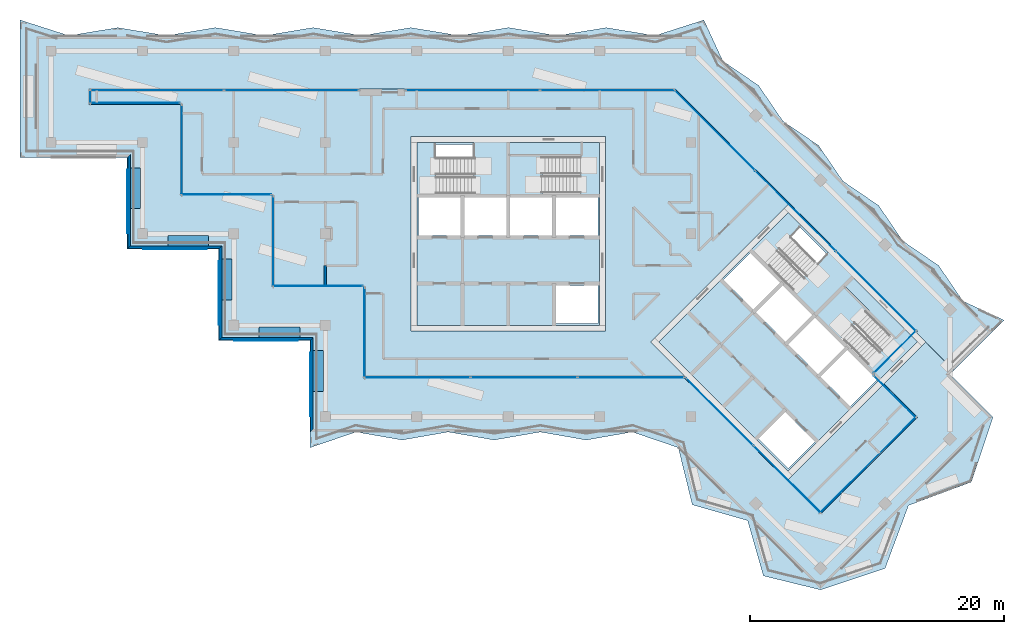
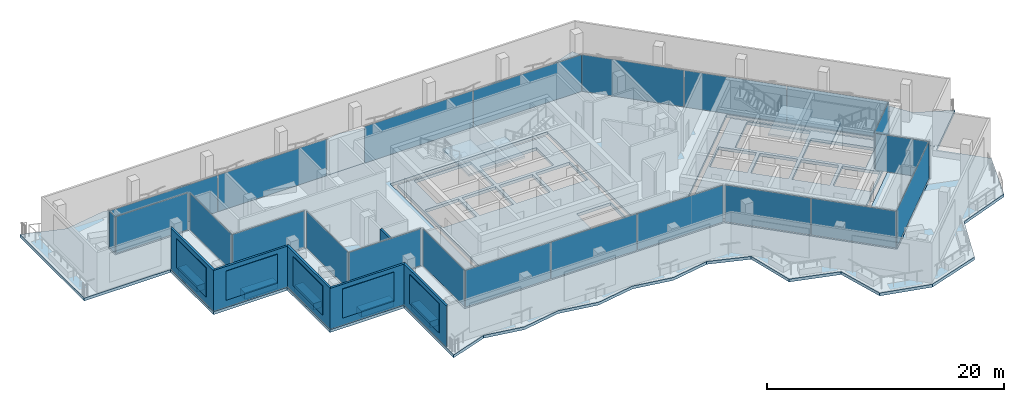
# One storey, part 8 of 19: 27 plates, 11 walls, 8 slabs, 15 openings, 19 elements without a shape of their own.
"""IFC4 building model written with IfcOpenShell, lengths in metres."""

from ifc_helpers import new_model, si_unit, direction, frame, frame_2d, origin, origin_2d, place, context, subcontext, project, spatial, polyline, rectangle, outline, extrude, material, layer, layer_set, type_object, element, aggregate, save


model = new_model("IFC4")

# Units and contexts
model_context = context("Model", 3, precision=1e-05, world=origin(), true_north=direction((0.0, 1.0)))
body_context = subcontext(model_context, "Body", "Model", "MODEL_VIEW")
ifc_project = project(units=[si_unit("LENGTHUNIT", "METRE"), si_unit("AREAUNIT", "SQUARE_METRE"), si_unit("VOLUMEUNIT", "CUBIC_METRE"), si_unit("PLANEANGLEUNIT", "RADIAN"), si_unit("MASSUNIT", "GRAM", prefix="KILO")], contexts=[model_context])

# Plate
ifc_material_1 = material(Name="Aluminium louvre", Category="aluminium")
ifc_layer_1 = layer(ifc_material_1, 0.05)
ifc_layer_set_1 = layer_set([ifc_layer_1], Name="Belt louvre panel 5000x3000")
plate_type_1 = type_object("IfcPlateType", Name="Belt louvre panel 5000x3000", PredefinedType="SHEET", material=ifc_layer_set_1)
site_placement = place(None, origin())
building_placement = place(site_placement, origin())
storey_placement = place(building_placement, frame((0.0, 0.0, 230.4)))
plate_1_placement = place(storey_placement, frame((34.8, 62.65, 0.75), z_axis=(-1.0, 0.0, 0.0), x_axis=(0.0, -1.0, 0.0)))
plate_1 = element("IfcPlate", 1, at=plate_1_placement, type_object=plate_type_1, Name="Belt louvre panel L63 39.1", PredefinedType="SHEET", context=body_context, shape_type="SweptSolid", body=[
    extrude(outline(polyline([(0.0, 0.0), (5.0, 0.0), (5.0, 3.0), (0.0, 3.0), (0.0, 0.0)])), origin(), (0.0, 0.0, -1.0), 0.05),
])

plate_2_placement = place(storey_placement, frame((36.05, 56.4, 0.75), z_axis=(0.0, -1.0, 0.0), x_axis=(1.0, 0.0, 0.0)))
plate_2 = element("IfcPlate", 2, at=plate_2_placement, type_object=plate_type_1, Name="Belt louvre panel L63 43.1", PredefinedType="SHEET", context=body_context, shape_type="SweptSolid", body=[
    extrude(outline(polyline([(0.0, 0.0), (5.0, 0.0), (5.0, 3.0), (0.0, 3.0), (0.0, 0.0)])), origin(), (0.0, 0.0, -1.0), 0.05),
])

plate_3_placement = place(storey_placement, frame((42.0, 55.45, 0.75), z_axis=(-1.0, 0.0, 0.0), x_axis=(0.0, -1.0, 0.0)))
plate_3 = element("IfcPlate", 3, at=plate_3_placement, type_object=plate_type_1, Name="Belt louvre panel L63 47.1", PredefinedType="SHEET", context=body_context, shape_type="SweptSolid", body=[
    extrude(outline(polyline([(0.0, 0.0), (5.0, 0.0), (5.0, 3.0), (0.0, 3.0), (0.0, 0.0)])), origin(), (0.0, 0.0, -1.0), 0.05),
])

plate_4_placement = place(storey_placement, frame((43.25, 49.2, 0.75), z_axis=(0.0, -1.0, 0.0), x_axis=(1.0, 0.0, 0.0)))
plate_4 = element("IfcPlate", 4, at=plate_4_placement, type_object=plate_type_1, Name="Belt louvre panel L63 51.1", PredefinedType="SHEET", context=body_context, shape_type="SweptSolid", body=[
    extrude(outline(polyline([(0.0, 0.0), (5.0, 0.0), (5.0, 3.0), (0.0, 3.0), (0.0, 0.0)])), origin(), (0.0, 0.0, -1.0), 0.05),
])

plate_5_placement = place(storey_placement, frame((49.2, 48.25, 0.75), z_axis=(-1.0, 0.0, 0.0), x_axis=(0.0, -1.0, 0.0)))
plate_5 = element("IfcPlate", 5, at=plate_5_placement, type_object=plate_type_1, Name="Belt louvre panel L63 55.1", PredefinedType="SHEET", context=body_context, shape_type="SweptSolid", body=[
    extrude(outline(polyline([(0.0, 0.0), (5.0, 0.0), (5.0, 3.0), (0.0, 3.0), (0.0, 0.0)])), origin(), (0.0, 0.0, -1.0), 0.05),
])

# Site, building, storey
site = spatial("IfcSite", under=ifc_project, at=site_placement, CompositionType="ELEMENT")
building = spatial("IfcBuilding", under=site, at=building_placement, Name="Windrow Commons", CompositionType="ELEMENT")
storey = spatial("IfcBuildingStorey", under=building, at=storey_placement, Name="L63", CompositionType="ELEMENT", Elevation=230.4)

# Slab, openings
ifc_material_2 = material(Name="Concrete C40/50", Category="concrete")
ifc_layer_2 = layer(ifc_material_2, 0.3)
ifc_layer_set_2 = layer_set([ifc_layer_2], Name="CORE FLOOR SLAB 300 C40/50")
slab_type_1 = type_object("IfcSlabType", Name="CORE FLOOR SLAB 300 C40/50", PredefinedType="FLOOR", material=ifc_layer_set_2)
placement_1 = place(storey_placement, frame((0.0, 0.0, -0.3)))
slab_1 = element("IfcSlab", 6, at=placement_1, inside=storey, type_object=slab_type_1, Name="S-L63-core-A", PredefinedType="FLOOR", context=body_context, shape_type="SweptSolid", body=[
    extrude(outline(polyline([(57.6, 50.4), (72.0, 50.4), (72.0, 64.8), (57.6, 64.8), (57.6, 50.4)]), holes=[polyline([(68.55, 50.55), (71.85, 50.55), (71.85, 53.55), (68.55, 53.55), (68.55, 50.55)]), polyline([(57.75, 57.45), (61.05, 57.45), (61.05, 60.45), (57.75, 60.45), (57.75, 57.45)]), polyline([(61.35, 57.45), (64.65, 57.45), (64.65, 60.45), (61.35, 60.45), (61.35, 57.45)]), polyline([(64.95, 57.45), (68.25, 57.45), (68.25, 60.45), (64.95, 60.45), (64.95, 57.45)]), polyline([(68.55, 57.45), (71.85, 57.45), (71.85, 60.45), (68.55, 60.45), (68.55, 57.45)]), polyline([(59.1, 60.75), (64.65, 60.75), (64.65, 64.65), (59.1, 64.65), (59.1, 60.75)]), polyline([(64.95, 60.75), (70.5, 60.75), (70.5, 63.705), (64.95, 63.705), (64.95, 60.75)])]), origin(), (0.0, 0.0, 1.0), 0.3),
])
opening_1_placement = place(placement_1, origin())
element("IfcOpeningElement", 7, at=opening_1_placement, cuts=slab_1, Name="Slab opening S-L63-core-A 1", PredefinedType="OPENING", context=body_context, shape_type="SweptSolid", body=[
    extrude(outline(polyline([(68.555, 50.555), (68.555, 53.545), (71.845, 53.545), (71.845, 50.555), (68.555, 50.555)])), origin(), (0.0, 0.0, 1.0), 0.3),
])
opening_2_placement = place(placement_1, origin())
element("IfcOpeningElement", 8, at=opening_2_placement, cuts=slab_1, Name="Slab opening S-L63-core-A 2", PredefinedType="OPENING", context=body_context, shape_type="SweptSolid", body=[
    extrude(outline(polyline([(57.755, 57.455), (57.755, 60.445), (61.045, 60.445), (61.045, 57.455), (57.755, 57.455)])), origin(), (0.0, 0.0, 1.0), 0.3),
])
opening_3_placement = place(placement_1, origin())
element("IfcOpeningElement", 9, at=opening_3_placement, cuts=slab_1, Name="Slab opening S-L63-core-A 3", PredefinedType="OPENING", context=body_context, shape_type="SweptSolid", body=[
    extrude(outline(polyline([(61.355, 57.455), (61.355, 60.445), (64.645, 60.445), (64.645, 57.455), (61.355, 57.455)])), origin(), (0.0, 0.0, 1.0), 0.3),
])
opening_4_placement = place(placement_1, origin())
element("IfcOpeningElement", 10, at=opening_4_placement, cuts=slab_1, Name="Slab opening S-L63-core-A 4", PredefinedType="OPENING", context=body_context, shape_type="SweptSolid", body=[
    extrude(outline(polyline([(64.955, 57.455), (64.955, 60.445), (68.245, 60.445), (68.245, 57.455), (64.955, 57.455)])), origin(), (0.0, 0.0, 1.0), 0.3),
])
opening_5_placement = place(placement_1, origin())
element("IfcOpeningElement", 11, at=opening_5_placement, cuts=slab_1, Name="Slab opening S-L63-core-A 5", PredefinedType="OPENING", context=body_context, shape_type="SweptSolid", body=[
    extrude(outline(polyline([(68.555, 57.455), (68.555, 60.445), (71.845, 60.445), (71.845, 57.455), (68.555, 57.455)])), origin(), (0.0, 0.0, 1.0), 0.3),
])
opening_6_placement = place(placement_1, origin())
element("IfcOpeningElement", 12, at=opening_6_placement, cuts=slab_1, Name="Slab opening S-L63-core-A 6", PredefinedType="OPENING", context=body_context, shape_type="SweptSolid", body=[
    extrude(outline(polyline([(59.105, 60.755), (59.105, 64.645), (64.645, 64.645), (64.645, 60.755), (59.105, 60.755)])), origin(), (0.0, 0.0, 1.0), 0.3),
])
opening_7_placement = place(placement_1, origin())
element("IfcOpeningElement", 13, at=opening_7_placement, cuts=slab_1, Name="Slab opening S-L63-core-A 7", PredefinedType="OPENING", context=body_context, shape_type="SweptSolid", body=[
    extrude(outline(polyline([(64.955, 60.755), (64.955, 63.7), (70.495, 63.7), (70.495, 60.755), (64.955, 60.755)])), origin(), (0.0, 0.0, 1.0), 0.3),
])

slab_2 = element("IfcSlab", 14, at=placement_1, inside=storey, type_object=slab_type_1, Name="S-L63-core-B", PredefinedType="FLOOR", context=body_context, shape_type="SweptSolid", body=[
    extrude(outline(polyline([(76.6544, 49.0897), (86.8368, 38.9074), (97.0191, 49.0897), (86.8368, 59.2721), (76.6544, 49.0897)]), holes=[polyline([(84.5033, 41.453), (86.8368, 39.1195), (88.9581, 41.2409), (86.6246, 43.5743), (84.5033, 41.453)]), polyline([(81.7456, 53.9688), (84.079, 51.6353), (86.2004, 53.7566), (83.8669, 56.0901), (81.7456, 53.9688)]), polyline([(84.2912, 51.4232), (86.6246, 49.0897), (88.7459, 51.2111), (86.4125, 53.5445), (84.2912, 51.4232)]), polyline([(86.8368, 48.8776), (89.1702, 46.5442), (91.2915, 48.6655), (88.9581, 50.9989), (86.8368, 48.8776)]), polyline([(89.3823, 46.332), (91.7158, 43.9986), (93.8371, 46.1199), (91.5037, 48.4533), (89.3823, 46.332)]), polyline([(85.0336, 55.3476), (88.9581, 51.4232), (91.7158, 54.1809), (87.7913, 58.1054), (85.0336, 55.3476)]), polyline([(89.1702, 51.2111), (93.0946, 47.2866), (95.1841, 49.3761), (91.2597, 53.3006), (89.1702, 51.2111)])]), origin(), (0.0, 0.0, 1.0), 0.3),
])
opening_8_placement = place(placement_1, origin())
element("IfcOpeningElement", 15, at=opening_8_placement, cuts=slab_2, Name="Slab opening S-L63-core-B 1", PredefinedType="OPENING", context=body_context, shape_type="SweptSolid", body=[
    extrude(outline(polyline([(84.5104, 41.453), (86.6246, 43.5672), (88.951, 41.2409), (86.8368, 39.1266), (84.5104, 41.453)])), origin(), (0.0, 0.0, 1.0), 0.3),
])
opening_9_placement = place(placement_1, origin())
element("IfcOpeningElement", 16, at=opening_9_placement, cuts=slab_2, Name="Slab opening S-L63-core-B 2", PredefinedType="OPENING", context=body_context, shape_type="SweptSolid", body=[
    extrude(outline(polyline([(81.7527, 53.9688), (83.8669, 56.083), (86.1933, 53.7566), (84.079, 51.6424), (81.7527, 53.9688)])), origin(), (0.0, 0.0, 1.0), 0.3),
])
opening_10_placement = place(placement_1, origin())
element("IfcOpeningElement", 17, at=opening_10_placement, cuts=slab_2, Name="Slab opening S-L63-core-B 3", PredefinedType="OPENING", context=body_context, shape_type="SweptSolid", body=[
    extrude(outline(polyline([(84.2983, 51.4232), (86.4125, 53.5374), (88.7388, 51.2111), (86.6246, 49.0968), (84.2983, 51.4232)])), origin(), (0.0, 0.0, 1.0), 0.3),
])
opening_11_placement = place(placement_1, origin())
element("IfcOpeningElement", 18, at=opening_11_placement, cuts=slab_2, Name="Slab opening S-L63-core-B 4", PredefinedType="OPENING", context=body_context, shape_type="SweptSolid", body=[
    extrude(outline(polyline([(86.8439, 48.8776), (88.9581, 50.9918), (91.2844, 48.6655), (89.1702, 46.5513), (86.8439, 48.8776)])), origin(), (0.0, 0.0, 1.0), 0.3),
])
opening_12_placement = place(placement_1, origin())
element("IfcOpeningElement", 19, at=opening_12_placement, cuts=slab_2, Name="Slab opening S-L63-core-B 5", PredefinedType="OPENING", context=body_context, shape_type="SweptSolid", body=[
    extrude(outline(polyline([(89.3894, 46.332), (91.5037, 48.4462), (93.83, 46.1199), (91.7158, 44.0057), (89.3894, 46.332)])), origin(), (0.0, 0.0, 1.0), 0.3),
])
opening_13_placement = place(placement_1, origin())
element("IfcOpeningElement", 20, at=opening_13_placement, cuts=slab_2, Name="Slab opening S-L63-core-B 6", PredefinedType="OPENING", context=body_context, shape_type="SweptSolid", body=[
    extrude(outline(polyline([(85.0407, 55.3476), (87.7913, 58.0983), (91.7087, 54.1809), (88.9581, 51.4303), (85.0407, 55.3476)])), origin(), (0.0, 0.0, 1.0), 0.3),
])
opening_14_placement = place(placement_1, origin())
element("IfcOpeningElement", 21, at=opening_14_placement, cuts=slab_2, Name="Slab opening S-L63-core-B 7", PredefinedType="OPENING", context=body_context, shape_type="SweptSolid", body=[
    extrude(outline(polyline([(89.1773, 51.2111), (91.2597, 53.2935), (95.177, 49.3761), (93.0946, 47.2937), (89.1773, 51.2111)])), origin(), (0.0, 0.0, 1.0), 0.3),
])

# Curtain wall, plate
ifc_material_3 = material(Name="Clear laminated glass in Aluminium 6063-T6 anodised frame", Category="aluminium")
curtain_wall_type = type_object("IfcCurtainWallType", Name="Curtain wall CW2H sky lounge upper", PredefinedType="USERDEFINED", material=ifc_material_3)
placement_2 = place(storey_placement, origin())
curtain_wall_1 = element("IfcCurtainWall", 22, at=placement_2, inside=storey, type_object=curtain_wall_type, Name="Curtain wall CW2H L63 1", ObjectType="UNITISED", PredefinedType="USERDEFINED")
ifc_material_4 = material(Name="Clear laminated glass", Category="glass")
ifc_layer_3 = layer(ifc_material_4, 0.032)
ifc_layer_set_3 = layer_set([ifc_layer_3], Name="CW2H panel glass 32")
plate_type_2 = type_object("IfcPlateType", Name="CW2H panel glass 32", PredefinedType="CURTAIN_PANEL", material=ifc_layer_set_3)
plate_6_placement = place(storey_placement, frame((95.2513, 44.7764, 0.06), z_axis=(0.0, 0.0, 1.0), x_axis=(-0.7070963646, 0.7071171977, 0.0)))
plate_6 = element("IfcPlate", 23, at=plate_6_placement, type_object=plate_type_2, Name="CW2H panel 1.1", PredefinedType="CURTAIN_PANEL", context=body_context, shape_type="SweptSolid", body=[
    extrude(rectangle(XDim=4.6801, YDim=0.032, at=origin_2d()), origin(), (0.0, 0.0, 1.0), 3.78),
])
aggregate(curtain_wall_1, [plate_6])

curtain_wall_2 = element("IfcCurtainWall", 24, at=placement_2, inside=storey, type_object=curtain_wall_type, Name="Curtain wall CW2H L63 2", ObjectType="UNITISED", PredefinedType="USERDEFINED")
plate_7_placement = place(storey_placement, frame((95.2513, 48.312, 0.06), z_axis=(0.0, 0.0, 1.0), x_axis=(0.7071067812, 0.7071067812, 0.0)))
plate_7 = element("IfcPlate", 25, at=plate_7_placement, type_object=plate_type_2, Name="CW2H panel 1.1", PredefinedType="CURTAIN_PANEL", context=body_context, shape_type="SweptSolid", body=[
    extrude(rectangle(XDim=4.68, YDim=0.032, at=origin_2d()), origin(), (0.0, 0.0, 1.0), 3.78),
])
aggregate(curtain_wall_2, [plate_7])

# Curtain wall, plates
curtain_wall_3 = element("IfcCurtainWall", 26, at=placement_2, inside=storey, type_object=curtain_wall_type, Name="Curtain wall CW2H L63 3", ObjectType="UNITISED", PredefinedType="USERDEFINED")
plate_8_placement = place(storey_placement, frame((93.7608, 53.0551, 0.06), z_axis=(0.0, 0.0, 1.0), x_axis=(-0.7071067812, 0.7071067812, 0.0)))
plate_8 = element("IfcPlate", 27, at=plate_8_placement, type_object=plate_type_2, Name="CW2H panel 1.1", PredefinedType="CURTAIN_PANEL", context=body_context, shape_type="SweptSolid", body=[
    extrude(rectangle(XDim=8.8958, YDim=0.032, at=origin_2d()), origin(), (0.0, 0.0, 1.0), 3.78),
])
plate_9_placement = place(storey_placement, frame((87.4175, 59.3984, 0.06), z_axis=(0.0, 0.0, 1.0), x_axis=(-0.7071067812, 0.7071067812, 0.0)))
plate_9 = element("IfcPlate", 28, at=plate_9_placement, type_object=plate_type_2, Name="CW2H panel 2.1", PredefinedType="CURTAIN_PANEL", context=body_context, shape_type="SweptSolid", body=[
    extrude(rectangle(XDim=8.9258, YDim=0.032, at=origin_2d()), origin(), (0.0, 0.0, 1.0), 3.78),
])
plate_10_placement = place(storey_placement, frame((81.0742, 65.7417, 0.06), z_axis=(0.0, 0.0, 1.0), x_axis=(-0.7071067812, 0.7071067812, 0.0)))
plate_10 = element("IfcPlate", 29, at=plate_10_placement, type_object=plate_type_2, Name="CW2H panel 3.1", PredefinedType="CURTAIN_PANEL", context=body_context, shape_type="SweptSolid", body=[
    extrude(rectangle(XDim=8.8958, YDim=0.032, at=origin_2d()), origin(), (0.0, 0.0, 1.0), 3.78),
])
aggregate(curtain_wall_3, [plate_8, plate_9, plate_10])

curtain_wall_4 = element("IfcCurtainWall", 30, at=placement_2, inside=storey, type_object=curtain_wall_type, Name="Curtain wall CW2H L63 4.1", ObjectType="UNITISED", PredefinedType="USERDEFINED")
plate_11_placement = place(storey_placement, frame((72.6226, 68.9, 0.06), z_axis=(0.0, 0.0, 1.0), x_axis=(-1.0, 0.0, 0.0)))
plate_11 = element("IfcPlate", 31, at=plate_11_placement, type_object=plate_type_2, Name="CW2H panel 1.1", PredefinedType="CURTAIN_PANEL", context=body_context, shape_type="SweptSolid", body=[
    extrude(rectangle(XDim=10.5495, YDim=0.032, at=origin_2d()), origin(), (0.0, 0.0, 1.0), 3.78),
])
plate_12_placement = place(storey_placement, frame((62.0132, 68.9, 0.06), z_axis=(0.0, 0.0, 1.0), x_axis=(-1.0, 0.0, 0.0)))
plate_12 = element("IfcPlate", 32, at=plate_12_placement, type_object=plate_type_2, Name="CW2H panel 2.1", PredefinedType="CURTAIN_PANEL", context=body_context, shape_type="SweptSolid", body=[
    extrude(rectangle(XDim=10.5495, YDim=0.032, at=origin_2d()), origin(), (0.0, 0.0, 1.0), 3.78),
])
aggregate(curtain_wall_4, [plate_11, plate_12])

curtain_wall_5 = element("IfcCurtainWall", 33, at=placement_2, inside=storey, type_object=curtain_wall_type, Name="Curtain wall CW2H L63 4.2", ObjectType="UNITISED", PredefinedType="USERDEFINED")
plate_13_placement = place(storey_placement, frame((47.7438, 68.9, 0.06), z_axis=(0.0, 0.0, 1.0), x_axis=(-1.0, 0.0, 0.0)))
plate_13 = element("IfcPlate", 34, at=plate_13_placement, type_object=plate_type_2, Name="CW2H panel 1.1", PredefinedType="CURTAIN_PANEL", context=body_context, shape_type="SweptSolid", body=[
    extrude(rectangle(XDim=10.5492, YDim=0.032, at=origin_2d()), origin(), (0.0, 0.0, 1.0), 3.78),
])
plate_14_placement = place(storey_placement, frame((37.1346, 68.9, 0.06), z_axis=(0.0, 0.0, 1.0), x_axis=(-1.0, 0.0, 0.0)))
plate_14 = element("IfcPlate", 35, at=plate_14_placement, type_object=plate_type_2, Name="CW2H panel 2.1", PredefinedType="CURTAIN_PANEL", context=body_context, shape_type="SweptSolid", body=[
    extrude(rectangle(XDim=10.5492, YDim=0.032, at=origin_2d()), origin(), (0.0, 0.0, 1.0), 3.78),
])
aggregate(curtain_wall_5, [plate_13, plate_14])

# Curtain wall, plate
curtain_wall_6 = element("IfcCurtainWall", 36, at=placement_2, inside=storey, type_object=curtain_wall_type, Name="Curtain wall CW2H L63 5", ObjectType="UNITISED", PredefinedType="USERDEFINED")
plate_15_placement = place(storey_placement, frame((31.9, 68.4, 0.06), z_axis=(0.0, 0.0, 1.0), x_axis=(0.0, -1.0, 0.0)))
plate_15 = element("IfcPlate", 37, at=plate_15_placement, type_object=plate_type_2, Name="CW2H panel 1.1", PredefinedType="CURTAIN_PANEL", context=body_context, shape_type="SweptSolid", body=[
    extrude(rectangle(XDim=1.08, YDim=0.032, at=origin_2d()), origin(), (0.0, 0.0, 1.0), 3.78),
])
aggregate(curtain_wall_6, [plate_15])

curtain_wall_7 = element("IfcCurtainWall", 38, at=placement_2, inside=storey, type_object=curtain_wall_type, Name="Curtain wall CW2H L63 6", ObjectType="UNITISED", PredefinedType="USERDEFINED")
plate_16_placement = place(storey_placement, frame((35.4, 67.9, 0.06), z_axis=(0.0, 0.0, 1.0), x_axis=(1.0, 0.0, 0.0)))
plate_16 = element("IfcPlate", 39, at=plate_16_placement, type_object=plate_type_2, Name="CW2H panel 1.1", PredefinedType="CURTAIN_PANEL", context=body_context, shape_type="SweptSolid", body=[
    extrude(rectangle(XDim=7.08, YDim=0.032, at=origin_2d()), origin(), (0.0, 0.0, 1.0), 3.78),
])
aggregate(curtain_wall_7, [plate_16])

curtain_wall_8 = element("IfcCurtainWall", 40, at=placement_2, inside=storey, type_object=curtain_wall_type, Name="Curtain wall CW2H L63 7", ObjectType="UNITISED", PredefinedType="USERDEFINED")
plate_17_placement = place(storey_placement, frame((39.1, 64.2, 0.06), z_axis=(0.0, 0.0, 1.0), x_axis=(0.0, -1.0, 0.0)))
plate_17 = element("IfcPlate", 41, at=plate_17_placement, type_object=plate_type_2, Name="CW2H panel 1.1", PredefinedType="CURTAIN_PANEL", context=body_context, shape_type="SweptSolid", body=[
    extrude(rectangle(XDim=7.08, YDim=0.032, at=origin_2d()), origin(), (0.0, 0.0, 1.0), 3.78),
])
aggregate(curtain_wall_8, [plate_17])

curtain_wall_9 = element("IfcCurtainWall", 42, at=placement_2, inside=storey, type_object=curtain_wall_type, Name="Curtain wall CW2H L63 8", ObjectType="UNITISED", PredefinedType="USERDEFINED")
plate_18_placement = place(storey_placement, frame((42.6, 60.7, 0.06), z_axis=(0.0, 0.0, 1.0), x_axis=(1.0, 0.0, 0.0)))
plate_18 = element("IfcPlate", 43, at=plate_18_placement, type_object=plate_type_2, Name="CW2H panel 1.1", PredefinedType="CURTAIN_PANEL", context=body_context, shape_type="SweptSolid", body=[
    extrude(rectangle(XDim=7.08, YDim=0.032, at=origin_2d()), origin(), (0.0, 0.0, 1.0), 3.78),
])
aggregate(curtain_wall_9, [plate_18])

curtain_wall_10 = element("IfcCurtainWall", 44, at=placement_2, inside=storey, type_object=curtain_wall_type, Name="Curtain wall CW2H L63 9", ObjectType="UNITISED", PredefinedType="USERDEFINED")
plate_19_placement = place(storey_placement, frame((46.3, 57.0, 0.06), z_axis=(0.0, 0.0, 1.0), x_axis=(0.0, -1.0, 0.0)))
plate_19 = element("IfcPlate", 45, at=plate_19_placement, type_object=plate_type_2, Name="CW2H panel 1.1", PredefinedType="CURTAIN_PANEL", context=body_context, shape_type="SweptSolid", body=[
    extrude(rectangle(XDim=7.08, YDim=0.032, at=origin_2d()), origin(), (0.0, 0.0, 1.0), 3.78),
])
aggregate(curtain_wall_10, [plate_19])

curtain_wall_11 = element("IfcCurtainWall", 46, at=placement_2, inside=storey, type_object=curtain_wall_type, Name="Curtain wall CW2H L63 10", ObjectType="UNITISED", PredefinedType="USERDEFINED")
plate_20_placement = place(storey_placement, frame((49.8, 53.5, 0.06), z_axis=(0.0, 0.0, 1.0), x_axis=(1.0, 0.0, 0.0)))
plate_20 = element("IfcPlate", 47, at=plate_20_placement, type_object=plate_type_2, Name="CW2H panel 1.1", PredefinedType="CURTAIN_PANEL", context=body_context, shape_type="SweptSolid", body=[
    extrude(rectangle(XDim=7.08, YDim=0.032, at=origin_2d()), origin(), (0.0, 0.0, 1.0), 3.78),
])
aggregate(curtain_wall_11, [plate_20])

curtain_wall_12 = element("IfcCurtainWall", 48, at=placement_2, inside=storey, type_object=curtain_wall_type, Name="Curtain wall CW2H L63 11", ObjectType="UNITISED", PredefinedType="USERDEFINED")
plate_21_placement = place(storey_placement, frame((53.5, 49.8, 0.06), z_axis=(0.0, 0.0, 1.0), x_axis=(0.0, -1.0, 0.0)))
plate_21 = element("IfcPlate", 49, at=plate_21_placement, type_object=plate_type_2, Name="CW2H panel 1.1", PredefinedType="CURTAIN_PANEL", context=body_context, shape_type="SweptSolid", body=[
    extrude(rectangle(XDim=7.08, YDim=0.032, at=origin_2d()), origin(), (0.0, 0.0, 1.0), 3.78),
])
aggregate(curtain_wall_12, [plate_21])

# Curtain wall, plates
curtain_wall_13 = element("IfcCurtainWall", 50, at=placement_2, inside=storey, type_object=curtain_wall_type, Name="Curtain wall CW2H L63 12", ObjectType="UNITISED", PredefinedType="USERDEFINED")
plate_22_placement = place(storey_placement, frame((57.6309, 46.3, 0.06), z_axis=(0.0, 0.0, 1.0), x_axis=(1.0, 0.0, 0.0)))
plate_22 = element("IfcPlate", 51, at=plate_22_placement, type_object=plate_type_2, Name="CW2H panel 1.1", PredefinedType="CURTAIN_PANEL", context=body_context, shape_type="SweptSolid", body=[
    extrude(rectangle(XDim=8.3419, YDim=0.032, at=origin_2d()), origin(), (0.0, 0.0, 1.0), 3.78),
])
plate_23_placement = place(storey_placement, frame((66.0478, 46.3, 0.06), z_axis=(0.0, 0.0, 1.0), x_axis=(1.0, 0.0, 0.0)))
plate_23 = element("IfcPlate", 52, at=plate_23_placement, type_object=plate_type_2, Name="CW2H panel 2.1", PredefinedType="CURTAIN_PANEL", context=body_context, shape_type="SweptSolid", body=[
    extrude(rectangle(XDim=8.3719, YDim=0.032, at=origin_2d()), origin(), (0.0, 0.0, 1.0), 3.78),
])
plate_24_placement = place(storey_placement, frame((74.4647, 46.3, 0.06), z_axis=(0.0, 0.0, 1.0), x_axis=(1.0, 0.0, 0.0)))
plate_24 = element("IfcPlate", 53, at=plate_24_placement, type_object=plate_type_2, Name="CW2H panel 3.1", PredefinedType="CURTAIN_PANEL", context=body_context, shape_type="SweptSolid", body=[
    extrude(rectangle(XDim=8.3419, YDim=0.032, at=origin_2d()), origin(), (0.0, 0.0, 1.0), 3.78),
])
aggregate(curtain_wall_13, [plate_22, plate_23, plate_24])

curtain_wall_14 = element("IfcCurtainWall", 54, at=placement_2, inside=storey, type_object=curtain_wall_type, Name="Curtain wall CW2H L63 13", ObjectType="UNITISED", PredefinedType="USERDEFINED")
plate_25_placement = place(storey_placement, frame((81.4486, 43.5884, 0.06), z_axis=(0.0, 0.0, 1.0), x_axis=(0.7071067812, -0.7071067812, 0.0)))
plate_25 = element("IfcPlate", 55, at=plate_25_placement, type_object=plate_type_2, Name="CW2H panel 1.1", PredefinedType="CURTAIN_PANEL", context=body_context, shape_type="SweptSolid", body=[
    extrude(rectangle(XDim=7.4666, YDim=0.032, at=origin_2d()), origin(), (0.0, 0.0, 1.0), 3.78),
])
plate_26_placement = place(storey_placement, frame((86.7707, 38.2663, 0.06), z_axis=(0.0, 0.0, 1.0), x_axis=(0.7071067812, -0.7071067812, 0.0)))
plate_26 = element("IfcPlate", 56, at=plate_26_placement, type_object=plate_type_2, Name="CW2H panel 2.1", PredefinedType="CURTAIN_PANEL", context=body_context, shape_type="SweptSolid", body=[
    extrude(rectangle(XDim=7.4666, YDim=0.032, at=origin_2d()), origin(), (0.0, 0.0, 1.0), 3.78),
])
aggregate(curtain_wall_14, [plate_25, plate_26])

# Curtain wall, plate
curtain_wall_15 = element("IfcCurtainWall", 57, at=placement_2, inside=storey, type_object=curtain_wall_type, Name="Curtain wall CW2H L63 14", ObjectType="UNITISED", PredefinedType="USERDEFINED")
plate_27_placement = place(storey_placement, frame((93.13, 39.4024, 0.06), z_axis=(0.0, 0.0, 1.0), x_axis=(0.7071114108, 0.7071021515, 0.0)))
plate_27 = element("IfcPlate", 58, at=plate_27_placement, type_object=plate_type_2, Name="CW2H panel 1.1", PredefinedType="CURTAIN_PANEL", context=body_context, shape_type="SweptSolid", body=[
    extrude(rectangle(XDim=10.68, YDim=0.032, at=origin_2d()), origin(), (0.0, 0.0, 1.0), 3.78),
])
aggregate(curtain_wall_15, [plate_27])

# Stair, slab
ifc_material_5 = material(Name="Concrete C40/50", Category="concrete")
stair_type = type_object("IfcStairType", Name="Core stair", PredefinedType="HALF_TURN_STAIR", material=ifc_material_5)
stair_1 = element("IfcStair", 59, at=placement_2, inside=storey, type_object=stair_type, Name="L63 Exit stair A1 core A", PredefinedType="HALF_TURN_STAIR")
ifc_material_6 = material(Name="Concrete C40/50", Category="concrete")
ifc_layer_4 = layer(ifc_material_6, 0.2)
ifc_layer_set_4 = layer_set([ifc_layer_4], Name="Core stair landing")
slab_type_2 = type_object("IfcSlabType", Name="Core stair landing", PredefinedType="LANDING", material=ifc_layer_set_4)
placement_3 = place(storey_placement, frame((0.0, 0.0, 1.9)))
slab_3 = element("IfcSlab", 60, at=placement_3, type_object=slab_type_2, Name="ST-A1 landing 1", PredefinedType="LANDING", context=body_context, shape_type="SweptSolid", body=[
    extrude(outline(polyline([(62.06, 60.5), (64.8, 60.5), (64.8, 64.9), (62.06, 64.9), (62.06, 60.5)])), origin(), (0.0, 0.0, 1.0), 0.2),
])
aggregate(stair_1, [slab_3])

stair_2 = element("IfcStair", 61, at=placement_2, inside=storey, type_object=stair_type, Name="L63 Exit stair A2 core A", PredefinedType="HALF_TURN_STAIR")
slab_4 = element("IfcSlab", 62, at=placement_3, type_object=slab_type_2, Name="ST-A2 landing 1", PredefinedType="LANDING", context=body_context, shape_type="SweptSolid", body=[
    extrude(outline(polyline([(64.8, 60.5), (67.54, 60.5), (67.54, 63.855), (64.8, 63.855), (64.8, 60.5)])), origin(), (0.0, 0.0, 1.0), 0.2),
])
aggregate(stair_2, [slab_4])

stair_3 = element("IfcStair", 63, at=placement_2, inside=storey, type_object=stair_type, Name="L63 Exit stair B1 core B", PredefinedType="HALF_TURN_STAIR")
slab_5 = element("IfcSlab", 64, at=placement_3, type_object=slab_type_2, Name="ST-B1 landing 1", PredefinedType="LANDING", context=body_context, shape_type="SweptSolid", body=[
    extrude(outline(polyline([(86.9499, 53.0778), (88.8874, 51.1403), (91.9986, 54.2516), (90.0612, 56.1891), (86.9499, 53.0778)])), origin(), (0.0, 0.0, 1.0), 0.2),
])
aggregate(stair_3, [slab_5])

stair_4 = element("IfcStair", 65, at=placement_2, inside=storey, type_object=stair_type, Name="L63 Exit stair B2 core B", PredefinedType="HALF_TURN_STAIR")
slab_6 = element("IfcSlab", 66, at=placement_3, type_object=slab_type_2, Name="ST-B2 landing 1", PredefinedType="LANDING", context=body_context, shape_type="SweptSolid", body=[
    extrude(outline(polyline([(88.8874, 51.1403), (90.8248, 49.2029), (93.1971, 51.5752), (91.2597, 53.5127), (88.8874, 51.1403)])), origin(), (0.0, 0.0, 1.0), 0.2),
])
aggregate(stair_4, [slab_6])

# Slab, opening
ifc_material_7 = material(Name="Concrete C40/50", Category="concrete")
ifc_layer_5 = layer(ifc_material_7, 0.3)
ifc_layer_set_5 = layer_set([ifc_layer_5], Name="FLOOR SLAB 300 C40/50")
slab_type_3 = type_object("IfcSlabType", Name="FLOOR SLAB 300 C40/50", PredefinedType="FLOOR", material=ifc_layer_set_5)
slab_7 = element("IfcSlab", 67, at=placement_1, inside=storey, type_object=slab_type_3, Name="S-L63-floor", PredefinedType="FLOOR", context=body_context, shape_type="SweptSolid", body=[
    extrude(outline(polyline([(97.0191, 43.15), (94.3674, 45.8017), (86.8368, 38.271), (76.018, 49.0897), (86.8368, 59.9085), (96.913, 49.8322), (97.0191, 49.9383), (77.9574, 69.0), (31.8, 69.0), (31.8, 67.8), (39.0, 67.8), (39.0, 60.6), (46.2, 60.6), (46.2, 53.4), (53.4, 53.4), (53.4, 46.2), (78.6956, 46.2), (89.3823, 35.5133), (97.0191, 43.15)]), holes=[polyline([(57.15, 49.95), (57.15, 65.25), (72.45, 65.25), (72.45, 49.95), (57.15, 49.95)])]), origin(), (0.0, 0.0, 1.0), 0.3),
])
opening_15_placement = place(placement_1, origin())
element("IfcOpeningElement", 68, at=opening_15_placement, cuts=slab_7, Name="Slab opening S-L63-floor 1", PredefinedType="OPENING", context=body_context, shape_type="SweptSolid", body=[
    extrude(outline(polyline([(57.155, 49.955), (57.155, 65.245), (72.445, 65.245), (72.445, 49.955), (57.155, 49.955)])), origin(), (0.0, 0.0, 1.0), 0.3),
])

# Slab
ifc_material_8 = material(Name="Concrete C40/50", Category="concrete")
ifc_layer_6 = layer(ifc_material_8, 0.3)
ifc_layer_set_6 = layer_set([ifc_layer_6], Name="TERRACE SLAB 300 C40/50")
slab_type_4 = type_object("IfcSlabType", Name="TERRACE SLAB 300 C40/50", PredefinedType="FLOOR", material=ifc_layer_set_6)
element("IfcSlab", 69, at=placement_1, inside=storey, type_object=slab_type_4, Name="Terrace slab TR-L63-1", PredefinedType="FLOOR", context=body_context, shape_type="SweptSolid", body=[
    extrude(outline(polyline([(63.6944, 41.367), (67.3181, 42.0), (70.9417, 41.367), (74.5653, 42.0), (78.1889, 40.767), (79.2902, 36.2716), (83.6442, 35.0289), (84.8869, 30.6749), (89.3823, 29.5736), (94.4735, 31.2706), (96.312, 36.2204), (101.2617, 38.0588), (102.1103, 40.6044), (102.9588, 43.15), (99.5647, 46.5442), (99.8758, 46.8553), (97.6484, 49.0827), (94.3675, 45.8017), (97.0191, 43.15), (89.3823, 35.5133), (78.6956, 46.2), (53.4, 46.2), (53.4, 53.4), (46.2, 53.4), (46.2, 60.6), (39.0, 60.6), (39.0, 67.8), (31.8, 67.8), (31.8, 69.0), (77.9574, 69.0), (97.0191, 49.9383), (96.913, 49.8322), (97.6201, 49.1251), (97.6272, 49.1322), (99.8899, 46.8694), (103.8285, 50.808), (100.5963, 52.3008), (98.6793, 55.1088), (95.8713, 57.0258), (93.9543, 59.8338), (91.1463, 61.7508), (89.2293, 64.5588), (86.4213, 66.4758), (84.5043, 69.2837), (81.6963, 71.2008), (80.2036, 74.433), (76.3581, 73.2), (72.5126, 73.833), (68.6672, 73.2), (64.8217, 73.833), (60.9762, 73.2), (57.1308, 73.833), (53.2853, 73.2), (49.4398, 73.833), (45.5944, 73.2), (41.7489, 73.833), (37.9034, 73.2), (34.0579, 73.833), (30.2125, 73.2), (26.367, 74.433), (26.367, 63.6), (34.8, 63.6), (34.8, 56.4), (42.0, 56.4), (42.0, 49.2), (49.2, 49.2), (49.2, 40.767), (52.8236, 42.0), (56.4472, 41.367), (60.0708, 42.0), (63.6944, 41.367)])), origin(), (0.0, 0.0, 1.0), 0.3),
])

# Wall
ifc_material_9 = material(Name="Concrete C40/50 precast screen panel", Category="concrete")
ifc_layer_7 = layer(ifc_material_9, 0.2)
ifc_layer_set_7 = layer_set([ifc_layer_7], Name="Belt screen wall 200")
wall_type_1 = type_object("IfcWallType", Name="Belt screen wall 200", PredefinedType="SOLIDWALL", material=ifc_layer_set_7)
wall_1_placement = place(storey_placement, frame((34.95, 63.75, 0.0), z_axis=(0.0, 0.0, 1.0), x_axis=(0.0, -1.0, 0.0)))
wall_1 = element("IfcWall", 70, at=wall_1_placement, inside=storey, type_object=wall_type_1, Name="Belt screen wall L63 39", PredefinedType="SOLIDWALL", context=body_context, shape_type="SweptSolid", body=[
    extrude(outline(polyline([(0.1, -0.1), (7.3, -0.1), (7.1, 0.1), (-0.1, 0.1), (0.1, -0.1)])), origin(), (0.0, 0.0, 1.0), 4.2),
])

aggregate(wall_1, [plate_1])

wall_2_placement = place(storey_placement, frame((34.95, 56.55, 0.0), z_axis=(0.0, 0.0, 1.0), x_axis=(1.0, 0.0, 0.0)))
wall_2 = element("IfcWall", 71, at=wall_2_placement, inside=storey, type_object=wall_type_1, Name="Belt screen wall L63 43", PredefinedType="SOLIDWALL", context=body_context, shape_type="SweptSolid", body=[
    extrude(outline(polyline([(-0.1, -0.1), (7.1, -0.1), (7.3, 0.1), (0.1, 0.1), (-0.1, -0.1)])), origin(), (0.0, 0.0, 1.0), 4.2),
])

aggregate(wall_2, [plate_2])

wall_3_placement = place(storey_placement, frame((42.15, 56.55, 0.0), z_axis=(0.0, 0.0, 1.0), x_axis=(0.0, -1.0, 0.0)))
wall_3 = element("IfcWall", 72, at=wall_3_placement, inside=storey, type_object=wall_type_1, Name="Belt screen wall L63 47", PredefinedType="SOLIDWALL", context=body_context, shape_type="SweptSolid", body=[
    extrude(outline(polyline([(0.1, -0.1), (7.3, -0.1), (7.1, 0.1), (-0.1, 0.1), (0.1, -0.1)])), origin(), (0.0, 0.0, 1.0), 4.2),
])

aggregate(wall_3, [plate_3])

wall_4_placement = place(storey_placement, frame((42.15, 49.35, 0.0), z_axis=(0.0, 0.0, 1.0), x_axis=(1.0, 0.0, 0.0)))
wall_4 = element("IfcWall", 73, at=wall_4_placement, inside=storey, type_object=wall_type_1, Name="Belt screen wall L63 51", PredefinedType="SOLIDWALL", context=body_context, shape_type="SweptSolid", body=[
    extrude(outline(polyline([(-0.1, -0.1), (7.1, -0.1), (7.3, 0.1), (0.1, 0.1), (-0.1, -0.1)])), origin(), (0.0, 0.0, 1.0), 4.2),
])

aggregate(wall_4, [plate_4])

wall_5_placement = place(storey_placement, frame((49.35, 49.35, 0.0), z_axis=(0.0, 0.0, 1.0), x_axis=(0.0, -1.0, 0.0)))
wall_5 = element("IfcWall", 74, at=wall_5_placement, inside=storey, type_object=wall_type_1, Name="Belt screen wall L63 55", PredefinedType="SOLIDWALL", context=body_context, shape_type="SweptSolid", body=[
    extrude(outline(polyline([(0.1, -0.1), (7.3, -0.1), (7.1, 0.1), (-0.1, 0.1), (0.1, -0.1)])), origin(), (0.0, 0.0, 1.0), 4.2),
])

aggregate(wall_5, [plate_5])

# Walls
ifc_material_10 = material(Name="Blockwork partition", Category="masonry")
ifc_layer_8 = layer(ifc_material_10, 0.2)
ifc_layer_set_8 = layer_set([ifc_layer_8], Name="IW-CORRIDOR-200")
wall_type_2 = type_object("IfcWallType", Name="IW-CORRIDOR-200", PredefinedType="PARTITIONING", material=ifc_layer_set_8)
wall_6_placement = place(storey_placement, frame((50.4, 53.53, 0.0), z_axis=(0.0, 0.0, 1.0), x_axis=(0.0, 1.0, 0.0)))
element("IfcWall", 75, at=wall_6_placement, inside=storey, type_object=wall_type_2, Name="W-L63-W036", PredefinedType="PARTITIONING", context=body_context, shape_type="SweptSolid", body=[
    extrude(rectangle(XDim=1.57, YDim=0.2, at=frame_2d((0.785, 0.0))), origin(), (0.0, 0.0, 1.0), 3.9),
])
ifc_material_11 = material(Name="Concrete C30/37 planter wall", Category="concrete")
ifc_layer_9 = layer(ifc_material_11, 0.8)
ifc_layer_set_9 = layer_set([ifc_layer_9], Name="Planter 800x600")
wall_type_3 = type_object("IfcWallType", Name="Planter 800x600", PredefinedType="SOLIDWALL", material=ifc_layer_set_9)
for number, where, z_axis, x_axis, name in (
    (76, (35.45, 62.8, 0.0), (0.0, 0.0, 1.0), (0.0, -1.0, 0.0), "PLANTER TR-L63-1.35"),
    (77, (38.0, 57.05, 0.0), (0.0, 0.0, 1.0), (1.0, 0.0, 0.0), "PLANTER TR-L63-1.36"),
    (78, (42.65, 55.6, 0.0), (0.0, 0.0, 1.0), (0.0, -1.0, 0.0), "PLANTER TR-L63-1.37"),
    (79, (45.2, 49.85, 0.0), (0.0, 0.0, 1.0), (1.0, 0.0, 0.0), "PLANTER TR-L63-1.38"),
    (80, (49.85, 48.4, 0.0), (0.0, 0.0, 1.0), (0.0, -1.0, 0.0), "PLANTER TR-L63-1.39"),
):
    element("IfcWall", number, at=place(storey_placement, frame(where, z_axis=z_axis, x_axis=x_axis)), inside=storey, type_object=wall_type_3, Name=name, PredefinedType="SOLIDWALL", context=body_context, shape_type="SweptSolid", body=[
        extrude(rectangle(XDim=3.2, YDim=0.8, at=frame_2d((1.6, 0.0))), origin(), (0.0, 0.0, 1.0), 0.65),
    ])

save(model, "model.ifc")
